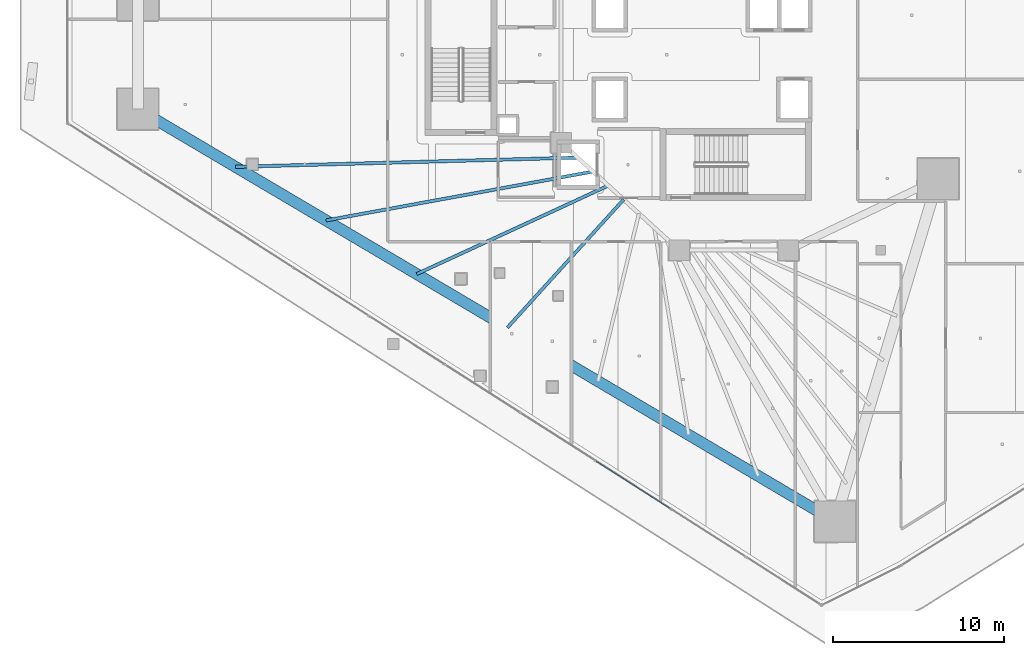
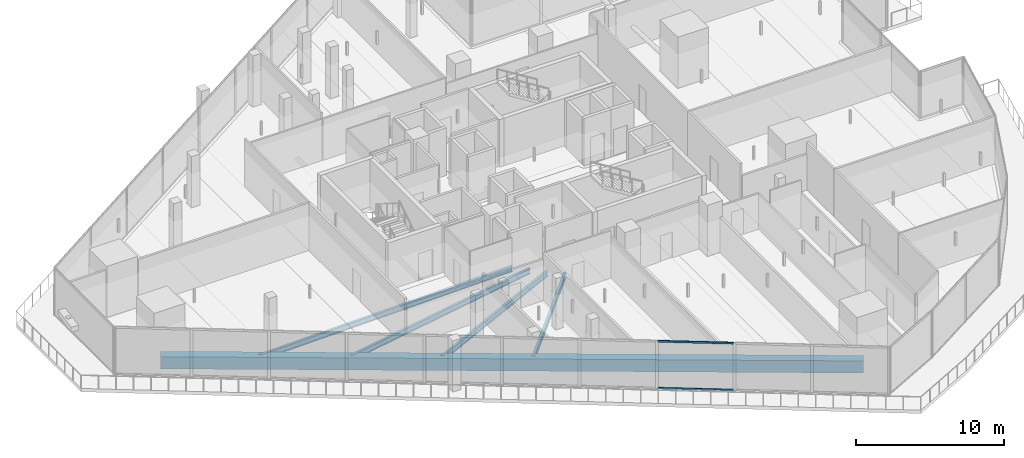
# One storey, part 5 of 44: 5 beams, 2 members, 1 element without a shape of its own.
"""IFC4 building model written with IfcOpenShell, lengths in metres."""

from ifc_helpers import new_model, si_unit, direction, frame, origin, origin_2d, place, context, subcontext, project, spatial, rectangle, hollow_rectangle, i_section, extrude, material, layer, layer_set, material_profile, profile_set, type_object, element, aggregate, save


model = new_model("IFC4")

# Units and contexts
model_context = context("Model", 3, precision=1e-05, world=origin(), true_north=direction((0.0, 1.0)))
body_context = subcontext(model_context, "Body", "Model", "MODEL_VIEW")
ifc_project = project(units=[si_unit("LENGTHUNIT", "METRE"), si_unit("AREAUNIT", "SQUARE_METRE"), si_unit("VOLUMEUNIT", "CUBIC_METRE"), si_unit("PLANEANGLEUNIT", "RADIAN"), si_unit("MASSUNIT", "GRAM", prefix="KILO")], contexts=[model_context])

# Site, building, storey
site_placement = place(None, origin())
site = spatial("IfcSite", under=ifc_project, at=site_placement, CompositionType="ELEMENT")
building_placement = place(site_placement, origin())
building = spatial("IfcBuilding", under=site, at=building_placement, Name="Qorvath Tower", CompositionType="ELEMENT")
storey_placement = place(building_placement, frame((0.0, 0.0, 78.60009765625)))
storey = spatial("IfcBuildingStorey", under=building, at=storey_placement, Name="L17", CompositionType="ELEMENT", Elevation=78.60009765625)

# Beams
ifc_material_1 = material(Name="Steel ASTM A992 Grade 50", Category="steel")
ifc_material_profile_1 = material_profile(ifc_material_1, i_section(OverallWidth=0.18994140625, OverallDepth=0.45703125, WebThickness=0.009033203125, FlangeThickness=0.014404296875, FilletRadius=0.011962890625, at=origin_2d()), Name="W18x50")
ifc_profile_set_1 = profile_set([ifc_material_profile_1], Name="Steel ASTM A992 Grade 50")
beam_type_1 = type_object("IfcBeamType", Name="BM-FJ2", PredefinedType="JOIST", material=ifc_profile_set_1)
beam_1_placement = place(storey_placement, frame((-29.533935546875, -6.031982421875, -0.508544921875), z_axis=(-0.999634925413, -0.02701880631, 0.0), x_axis=(0.02701880631, -0.999634925413, 0.0)))
element("IfcBeam", 1, at=beam_1_placement, inside=storey, type_object=beam_type_1, Name="Composite Floor Joist SW1 L17", PredefinedType="JOIST", context=body_context, shape_type="SweptSolid", body=[
    extrude(i_section(OverallWidth=0.18994140625, OverallDepth=0.45703125, WebThickness=0.009033203125, FlangeThickness=0.014404296875, FilletRadius=0.011962890625, at=origin_2d()), origin(), (0.0, 0.0, 1.0), 20.041748046875),
])
beam_2_placement = place(storey_placement, frame((-28.636962890625, -6.85107421875, -0.508544921875), z_axis=(-0.983656498786, -0.180055248176, 0.0), x_axis=(0.180055248176, -0.983656498786, 0.0)))
element("IfcBeam", 2, at=beam_2_placement, inside=storey, type_object=beam_type_1, Name="Composite Floor Joist SW2 L17", PredefinedType="JOIST", context=body_context, shape_type="SweptSolid", body=[
    extrude(i_section(OverallWidth=0.18994140625, OverallDepth=0.45703125, WebThickness=0.009033203125, FlangeThickness=0.014404296875, FilletRadius=0.011962890625, at=origin_2d()), origin(), (0.0, 0.0, 1.0), 15.884521484375),
])
beam_3_placement = place(storey_placement, frame((-27.739990234375, -7.669921875, -0.508544921875), z_axis=(-0.907881281747, -0.419227358665, 0.0), x_axis=(0.419227358665, -0.907881281747, 0.0)))
element("IfcBeam", 3, at=beam_3_placement, inside=storey, type_object=beam_type_1, Name="Composite Floor Joist SW3 L17", PredefinedType="JOIST", context=body_context, shape_type="SweptSolid", body=[
    extrude(i_section(OverallWidth=0.18994140625, OverallDepth=0.45703125, WebThickness=0.009033203125, FlangeThickness=0.014404296875, FilletRadius=0.011962890625, at=origin_2d()), origin(), (0.0, 0.0, 1.0), 12.353515625),
])
beam_4_placement = place(storey_placement, frame((-26.843017578125, -8.489013671875, -0.508544921875), z_axis=(-0.672128980215, -0.740434084815, 0.0), x_axis=(0.740434084815, -0.672128980215, 0.0)))
element("IfcBeam", 4, at=beam_4_placement, inside=storey, type_object=beam_type_1, Name="Composite Floor Joist SW4 L17", PredefinedType="JOIST", context=body_context, shape_type="SweptSolid", body=[
    extrude(i_section(OverallWidth=0.18994140625, OverallDepth=0.45703125, WebThickness=0.009033203125, FlangeThickness=0.014404296875, FilletRadius=0.011962890625, at=origin_2d()), origin(), (0.0, 0.0, 1.0), 10.1259765625),
])
ifc_material_2 = material(Name="Concrete C50/60", Category="concrete")
ifc_material_profile_2 = material_profile(ifc_material_2, rectangle(XDim=0.64990234375, YDim=1.0, at=origin_2d()), Name="RCB 1000x650")
ifc_profile_set_2 = profile_set([ifc_material_profile_2], Name="Concrete C50/60")
beam_type_2 = type_object("IfcBeamType", Name="BM-RCB1", PredefinedType="SPANDREL", material=ifc_profile_set_2)
beam_5_placement = place(storey_placement, frame((-55.282958984375, -3.194580078125, -0.780029296875), z_axis=(0.860777360917, -0.508981664633, 0.0), x_axis=(0.508981664633, 0.860777360917, 0.0)))
element("IfcBeam", 5, at=beam_5_placement, inside=storey, type_object=beam_type_2, Name="Perimeter Loggia Frame Beam MC2-MC3 L17", PredefinedType="SPANDREL", context=body_context, shape_type="SweptSolid", body=[
    extrude(rectangle(XDim=0.64990234375, YDim=1.0, at=origin_2d()), origin(), (0.0, 0.0, 1.0), 47.420654296875),
])

# Curtain wall, members
ifc_material_3 = material(Name="Anodised aluminium and triple low-E glass", Category="aluminium")
ifc_layer = layer(ifc_material_3, 0.179931640625)
ifc_layer_set = layer_set([ifc_layer], Name="CW-SYS-5")
curtain_wall_type = type_object("IfcCurtainWallType", Name="CW-SYS-5", PredefinedType="NOTDEFINED", material=ifc_layer_set)
curtain_wall_placement = place(storey_placement, origin())
curtain_wall = element("IfcCurtainWall", 6, at=curtain_wall_placement, inside=storey, type_object=curtain_wall_type, Name="Curtain Wall CW-5 CW-T-L17-6.1", PredefinedType="NOTDEFINED")
ifc_material_4 = material(Name="Anodised aluminium 6063-T6", Category="aluminium")
ifc_material_profile_3 = material_profile(ifc_material_4, hollow_rectangle(XDim=0.06494140625, YDim=0.159912109375, WallThickness=0.00341796875, InnerFilletRadius=0.00341796875, OuterFilletRadius=0.007080078125, at=origin_2d()), Name="CWT 160x65")
ifc_profile_set_3 = profile_set([ifc_material_profile_3], Name="Anodised aluminium 6063-T6")
member_type = type_object("IfcMemberType", Name="CWT-160", PredefinedType="USERDEFINED", material=ifc_profile_set_3)
member_1_placement = place(storey_placement, frame((-28.463623046875, -23.80029296875, 0.032470703125), z_axis=(0.842608664129, -0.538526358811, 0.0), x_axis=(0.538526358811, 0.842608664129, 0.0)))
member_1 = element("IfcMember", 7, at=member_1_placement, type_object=member_type, Name="CW-5 transom 8.1", ObjectType="TRANSOM", PredefinedType="USERDEFINED", context=body_context, shape_type="SweptSolid", body=[
    extrude(hollow_rectangle(XDim=0.06494140625, YDim=0.159912109375, WallThickness=0.00341796875, InnerFilletRadius=0.00341796875, OuterFilletRadius=0.007080078125, at=origin_2d()), origin(), (0.0, 0.0, 1.0), 5.1640625),
])
member_2_placement = place(storey_placement, frame((-28.463623046875, -23.80029296875, 3.887451171875), z_axis=(0.842608664129, -0.538526358811, 0.0), x_axis=(0.538526358811, 0.842608664129, 0.0)))
member_2 = element("IfcMember", 8, at=member_2_placement, type_object=member_type, Name="CW-5 transom 8.2", ObjectType="TRANSOM", PredefinedType="USERDEFINED", context=body_context, shape_type="SweptSolid", body=[
    extrude(hollow_rectangle(XDim=0.06494140625, YDim=0.159912109375, WallThickness=0.00341796875, InnerFilletRadius=0.00341796875, OuterFilletRadius=0.007080078125, at=origin_2d()), origin(), (0.0, 0.0, 1.0), 5.1640625),
])
aggregate(curtain_wall, [member_1, member_2])

save(model, "model.ifc")
